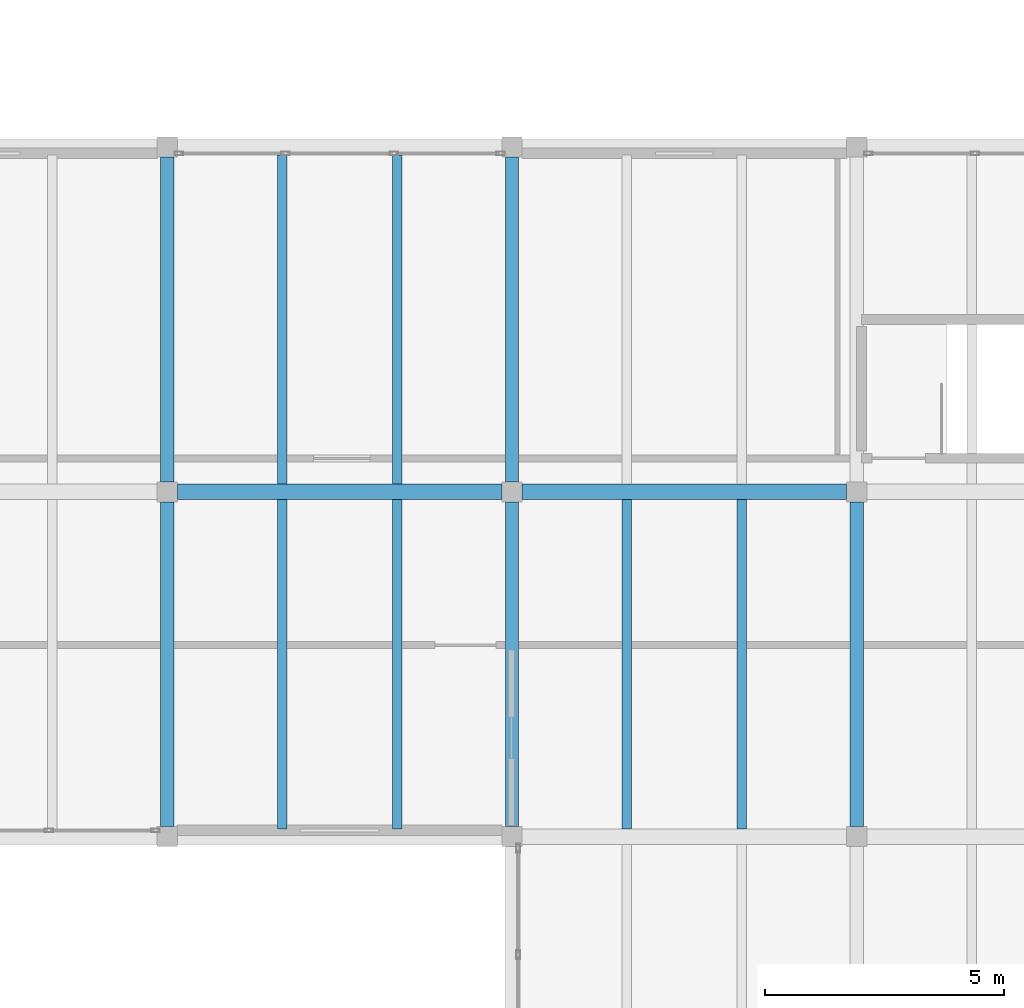
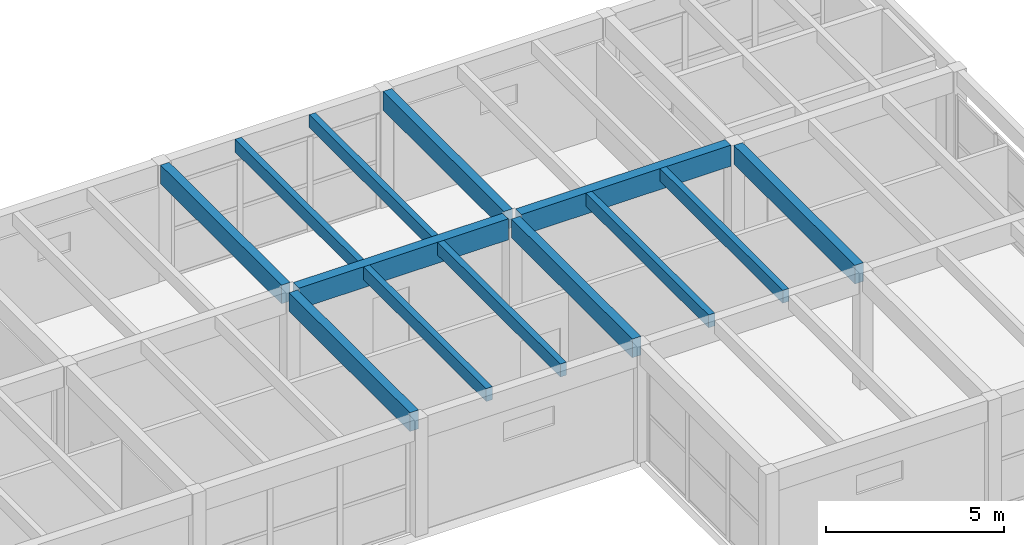
# One storey, part 44 of 68: 13 beams.
"""IFC4 building model written with IfcOpenShell, lengths in metres."""

from ifc_helpers import new_model, si_unit, direction, frame, origin, origin_2d, place, context, subcontext, project, spatial, rectangle, extrude, material, material_profile, profile_set, type_object, element, save


model = new_model("IFC4")

# Units and contexts
model_context = context("Model", 3, precision=1e-05, world=origin(), true_north=direction((0.0, 1.0)))
body_context = subcontext(model_context, "Body", "Model", "MODEL_VIEW")
ifc_project = project(units=[si_unit("LENGTHUNIT", "METRE"), si_unit("AREAUNIT", "SQUARE_METRE"), si_unit("VOLUMEUNIT", "CUBIC_METRE"), si_unit("PLANEANGLEUNIT", "RADIAN"), si_unit("MASSUNIT", "GRAM", prefix="KILO")], contexts=[model_context])

# Site, building, storey
site_placement = place(None, origin())
site = spatial("IfcSite", under=ifc_project, at=site_placement, CompositionType="ELEMENT")
building_placement = place(site_placement, origin())
building = spatial("IfcBuilding", under=site, at=building_placement, Name="Bramvelor Terrace Health Centre", CompositionType="ELEMENT")
storey_placement = place(building_placement, frame((0.0, 0.0, 9.300048828125)))
storey = spatial("IfcBuildingStorey", under=building, at=storey_placement, Name="L03", CompositionType="ELEMENT", Elevation=9.300048828125)

# Beams
ifc_material_1 = material(Name="Glulam GL28h", Category="wood")
ifc_material_profile_1 = material_profile(ifc_material_1, rectangle(XDim=0.280029296875, YDim=0.639892578125, at=origin_2d()), Name="GL 280x640")
ifc_profile_set_1 = profile_set([ifc_material_profile_1], Name="Glulam GL28h")
beam_type_1 = type_object("IfcBeamType", Name="BM-GL-G640", PredefinedType="BEAM", material=ifc_profile_set_1)
beam_1_placement = place(storey_placement, frame((144.0, 50.610107421875, 3.669921875), z_axis=(0.0, 1.0, 0.0), x_axis=(-1.0, 0.0, 0.0)))
element("IfcBeam", 1, at=beam_1_placement, inside=storey, type_object=beam_type_1, Name="L03 Floor Girder", PredefinedType="BEAM", context=body_context, shape_type="SweptSolid", body=[
    extrude(rectangle(XDim=0.280029296875, YDim=0.639892578125, at=origin_2d()), origin(), (0.0, 0.0, 1.0), 6.77978515625),
])
beam_2_placement = place(storey_placement, frame((144.0, 57.81005859375, 3.669921875), z_axis=(0.0, 1.0, 0.0), x_axis=(-1.0, 0.0, 0.0)))
element("IfcBeam", 2, at=beam_2_placement, inside=storey, type_object=beam_type_1, Name="L03 Floor Girder", PredefinedType="BEAM", context=body_context, shape_type="SweptSolid", body=[
    extrude(rectangle(XDim=0.280029296875, YDim=0.639892578125, at=origin_2d()), origin(), (0.0, 0.0, 1.0), 6.780029296875),
])
beam_3_placement = place(storey_placement, frame((151.199951171875, 50.610107421875, 3.669921875), z_axis=(0.0, 1.0, 0.0), x_axis=(-1.0, 0.0, 0.0)))
element("IfcBeam", 3, at=beam_3_placement, inside=storey, type_object=beam_type_1, Name="L03 Floor Girder", PredefinedType="BEAM", context=body_context, shape_type="SweptSolid", body=[
    extrude(rectangle(XDim=0.280029296875, YDim=0.639892578125, at=origin_2d()), origin(), (0.0, 0.0, 1.0), 6.77978515625),
])
beam_4_placement = place(storey_placement, frame((151.199951171875, 57.81005859375, 3.669921875), z_axis=(0.0, 1.0, 0.0), x_axis=(-1.0, 0.0, 0.0)))
element("IfcBeam", 4, at=beam_4_placement, inside=storey, type_object=beam_type_1, Name="L03 Floor Girder", PredefinedType="BEAM", context=body_context, shape_type="SweptSolid", body=[
    extrude(rectangle(XDim=0.280029296875, YDim=0.639892578125, at=origin_2d()), origin(), (0.0, 0.0, 1.0), 6.780029296875),
])
beam_5_placement = place(storey_placement, frame((158.39990234375, 50.610107421875, 3.669921875), z_axis=(0.0, 1.0, 0.0), x_axis=(-1.0, 0.0, 0.0)))
element("IfcBeam", 5, at=beam_5_placement, inside=storey, type_object=beam_type_1, Name="L03 Floor Girder", PredefinedType="BEAM", context=body_context, shape_type="SweptSolid", body=[
    extrude(rectangle(XDim=0.280029296875, YDim=0.639892578125, at=origin_2d()), origin(), (0.0, 0.0, 1.0), 6.77978515625),
])
ifc_material_2 = material(Name="Glulam GL28h", Category="wood")
ifc_material_profile_2 = material_profile(ifc_material_2, rectangle(XDim=0.320068359375, YDim=0.719970703125, at=origin_2d()), Name="GL 320x720")
ifc_profile_set_2 = profile_set([ifc_material_profile_2], Name="Glulam GL28h")
beam_type_2 = type_object("IfcBeamType", Name="BM-GL-G720", PredefinedType="BEAM", material=ifc_profile_set_2)
for number, where, z_axis, x_axis, name in (
    (6, (144.2099609375, 57.60009765625, 3.6298828125), (1.0, 0.0, 0.0), (0.0, 1.0, 0.0), "L03 Floor Girder"),
    (7, (151.409912109375, 57.60009765625, 3.6298828125), (1.0, 0.0, 0.0), (0.0, 1.0, 0.0), "L03 Floor Girder"),
):
    element("IfcBeam", number, at=place(storey_placement, frame(where, z_axis=z_axis, x_axis=x_axis)), inside=storey, type_object=beam_type_2, Name=name, PredefinedType="BEAM", context=body_context, shape_type="SweptSolid", body=[
        extrude(rectangle(XDim=0.320068359375, YDim=0.719970703125, at=origin_2d()), origin(), (0.0, 0.0, 1.0), 6.780029296875),
    ])
ifc_material_3 = material(Name="Glulam GL28h", Category="wood")
ifc_material_profile_3 = material_profile(ifc_material_3, rectangle(XDim=0.199951171875, YDim=0.43994140625, at=origin_2d()), Name="GL 200x440")
ifc_profile_set_3 = profile_set([ifc_material_profile_3], Name="Glulam GL28h")
beam_type_3 = type_object("IfcBeamType", Name="BM-GL-J440", PredefinedType="JOIST", material=ifc_profile_set_3)
for number, where, z_axis, x_axis, name in (
    (8, (146.39990234375, 50.56005859375, 3.77001953125), (0.0, 1.0, 0.0), (-1.0, 0.0, 0.0), "L03 Secondary Floor Joist"),
    (9, (148.800048828125, 50.56005859375, 3.77001953125), (0.0, 1.0, 0.0), (-1.0, 0.0, 0.0), "L03 Secondary Floor Joist"),
    (10, (146.39990234375, 57.760009765625, 3.77001953125), (0.0, 1.0, 0.0), (-1.0, 0.0, 0.0), "L03 Secondary Floor Joist"),
    (11, (148.800048828125, 57.760009765625, 3.77001953125), (0.0, 1.0, 0.0), (-1.0, 0.0, 0.0), "L03 Secondary Floor Joist"),
    (12, (153.60009765625, 50.56005859375, 3.77001953125), (0.0, 1.0, 0.0), (-1.0, 0.0, 0.0), "L03 Secondary Floor Joist"),
    (13, (156.0, 50.56005859375, 3.77001953125), (0.0, 1.0, 0.0), (-1.0, 0.0, 0.0), "L03 Secondary Floor Joist"),
):
    element("IfcBeam", number, at=place(storey_placement, frame(where, z_axis=z_axis, x_axis=x_axis)), inside=storey, type_object=beam_type_3, Name=name, PredefinedType="JOIST", context=body_context, shape_type="SweptSolid", body=[
        extrude(rectangle(XDim=0.199951171875, YDim=0.43994140625, at=origin_2d()), origin(), (0.0, 0.0, 1.0), 6.8798828125),
    ])

save(model, "model.ifc")
